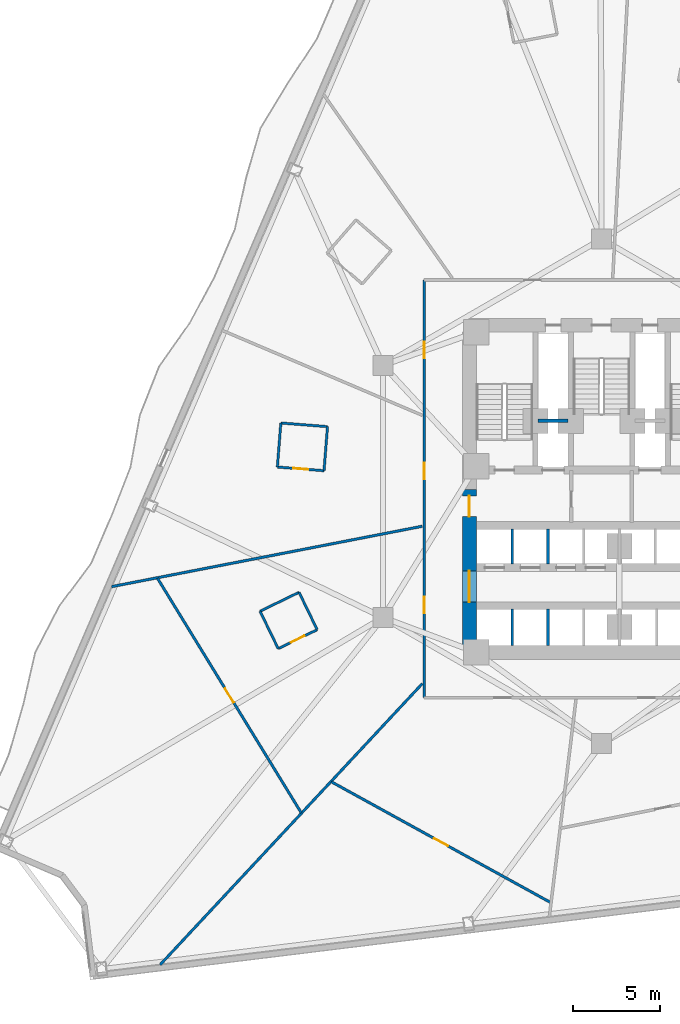
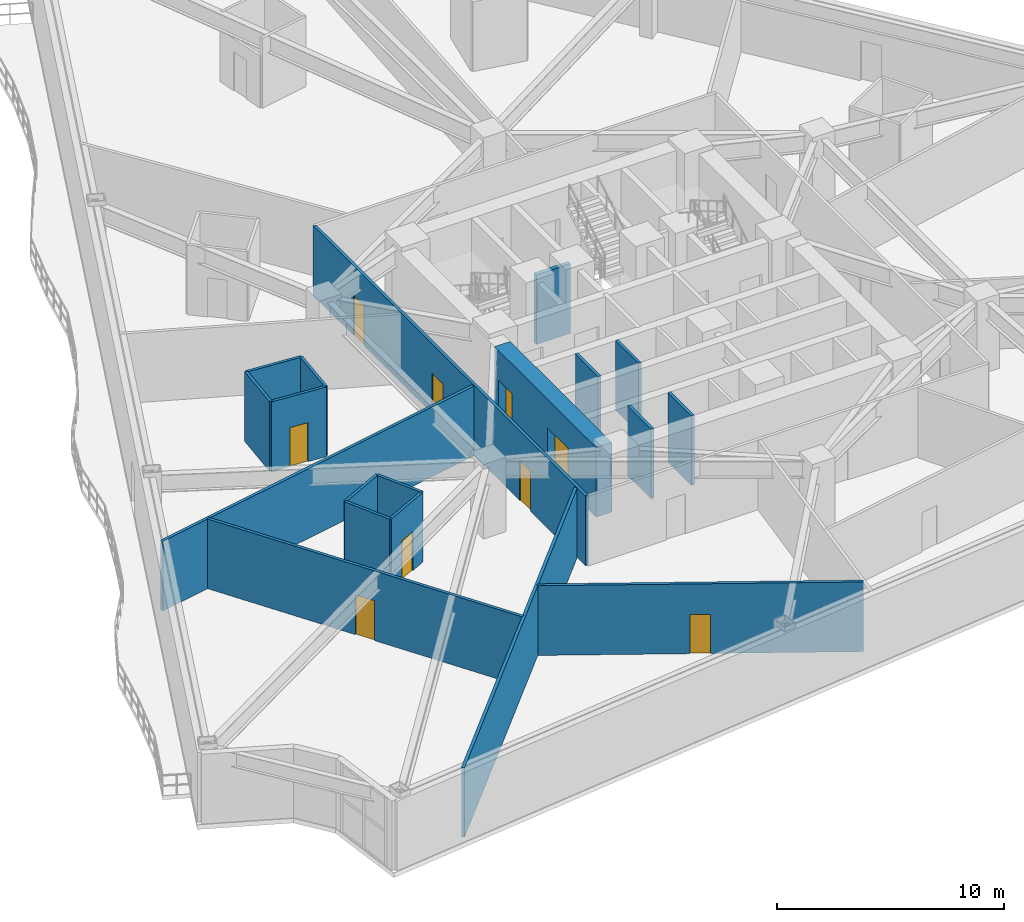
# One storey, part 6 of 14: 19 walls, 9 doors, 9 openings.
"""IFC4 building model written with IfcOpenShell, lengths in metres."""

from ifc_helpers import new_model, si_unit, direction, frame, frame_2d, origin, place, context, subcontext, project, spatial, rectangle, extrude, material, layer, layer_set, type_object, element, fill, save


model = new_model("IFC4")

# Units and contexts
model_context = context("Model", 3, precision=1e-05, world=origin(), true_north=direction((0.0, 1.0)))
body_context = subcontext(model_context, "Body", "Model", "MODEL_VIEW")
ifc_project = project(units=[si_unit("LENGTHUNIT", "METRE"), si_unit("AREAUNIT", "SQUARE_METRE"), si_unit("VOLUMEUNIT", "CUBIC_METRE"), si_unit("PLANEANGLEUNIT", "RADIAN"), si_unit("MASSUNIT", "GRAM", prefix="KILO")], contexts=[model_context])

# Site, building, storey
site_placement = place(None, origin())
site = spatial("IfcSite", under=ifc_project, at=site_placement, CompositionType="ELEMENT")
building_placement = place(site_placement, origin())
building = spatial("IfcBuilding", under=site, at=building_placement, Name="Apsidion Concourse Tower", CompositionType="ELEMENT")
storey_placement = place(building_placement, frame((0.0, 0.0, 79.0)))
storey = spatial("IfcBuildingStorey", under=building, at=storey_placement, Name="L17", CompositionType="ELEMENT", Elevation=79.0)

# Walls
ifc_material_1 = material(Name="Gypsum plasterboard partition")
ifc_layer_1 = layer(ifc_material_1, 0.139892578125)
ifc_layer_set_1 = layer_set([ifc_layer_1], Name="Gypsum plasterboard partition")
wall_type_1 = type_object("IfcWallType", Name="WL-INT-PAR-140", PredefinedType="PARTITIONING", material=ifc_layer_set_1)
wall_1_placement = place(storey_placement, frame((-17.38671875, -5.79833984375, 0.0), z_axis=(0.0, 0.0, 1.0), x_axis=(-0.899563196536, -0.436790631125, 0.0)))
element("IfcWall", 1, at=wall_1_placement, inside=storey, type_object=wall_type_1, Name="L17 Interior Partition WL-L17-POD-HKAWC-S1", PredefinedType="PARTITIONING", context=body_context, shape_type="SweptSolid", body=[
    extrude(rectangle(XDim=2.489990234375, YDim=0.139892578125, at=frame_2d((1.2451171875, 0.0))), origin(), (0.0, 0.0, 1.0), 3.75),
])
wall_2_placement = place(storey_placement, frame((-19.626708984375, -6.885986328125, 0.0), z_axis=(0.0, 0.0, 1.0), x_axis=(0.43680477619, -0.899556328141, 0.0)))
element("IfcWall", 2, at=wall_2_placement, inside=storey, type_object=wall_type_1, Name="L17 Interior Partition WL-L17-POD-HKAWC-S2", PredefinedType="PARTITIONING", context=body_context, shape_type="SweptSolid", body=[
    extrude(rectangle(XDim=2.389892578125, YDim=0.139892578125, at=frame_2d((1.19482421875, 0.0))), origin(), (0.0, 0.0, 1.0), 3.75),
])

# Wall, opening, door
wall_3_placement = place(storey_placement, frame((-18.582763671875, -9.035888671875, 0.0), z_axis=(0.0, 0.0, 1.0), x_axis=(0.899563196536, 0.436790631125, 0.0)))
wall_3 = element("IfcWall", 3, at=wall_3_placement, inside=storey, type_object=wall_type_1, Name="L17 Interior Partition WL-L17-POD-HKAWC-S3", PredefinedType="PARTITIONING", context=body_context, shape_type="SweptSolid", body=[
    extrude(rectangle(XDim=2.489990234375, YDim=0.139892578125, at=frame_2d((1.2451171875, 0.0))), origin(), (0.0, 0.0, 1.0), 3.75),
])
opening_1_placement = place(wall_3_placement, frame((0.804931640625, 0.0, 0.0)))
opening_1 = element("IfcOpeningElement", 4, at=opening_1_placement, cuts=wall_3, Name="Opening D-03L", PredefinedType="OPENING", context=body_context, shape_type="SweptSolid", body=[
    extrude(rectangle(XDim=0.8798828125, YDim=2.10009765625, at=frame_2d((0.43994140625, 1.050048828125))), frame((0.0, 0.080078125, 0.0), z_axis=(0.0, -1.0, 0.0), x_axis=(1.0, 0.0, 0.0)), (0.0, 0.0, 1.0), 0.159912109375),
])
ifc_material_2 = material(Name="Anodised aluminium EN AW-6063 T6", Category="aluminium")
door_type_1 = type_object("IfcDoorType", Name="DR-INT-D03L", OperationType="SINGLE_SWING_LEFT", PredefinedType="DOOR", material=ifc_material_2)
door_1_placement = place(opening_1_placement, origin())
door_1 = element("IfcDoor", 5, at=door_1_placement, inside=storey, type_object=door_type_1, Name="L17 Hotel Accessible WC Door HKAWC", OperationType="SINGLE_SWING_LEFT", OverallHeight=2.10009765625, OverallWidth=0.8798828125, PredefinedType="DOOR", context=body_context, shape_type="SweptSolid", body=[
    extrude(rectangle(XDim=0.8798828125, YDim=2.10009765625, at=frame_2d((0.43994140625, 1.050048828125))), frame((0.0, 0.02490234375, 0.0), z_axis=(0.0, -1.0, 0.0), x_axis=(1.0, 0.0, 0.0)), (0.0, 0.0, 1.0), 0.050048828125),
])
fill(opening_1, door_1)

# Walls
wall_4_placement = place(storey_placement, frame((-16.3427734375, -7.9482421875, 0.0), z_axis=(0.0, 0.0, 1.0), x_axis=(-0.43680477619, 0.899556328141, 0.0)))
element("IfcWall", 6, at=wall_4_placement, inside=storey, type_object=wall_type_1, Name="L17 Interior Partition WL-L17-POD-HKAWC-S4", PredefinedType="PARTITIONING", context=body_context, shape_type="SweptSolid", body=[
    extrude(rectangle(XDim=2.389892578125, YDim=0.139892578125, at=frame_2d((1.19482421875, 0.0))), origin(), (0.0, 0.0, 1.0), 3.75),
])
wall_5_placement = place(storey_placement, frame((-15.7509765625, 3.7216796875, 0.0), z_axis=(0.0, 0.0, 1.0), x_axis=(-0.996920595241, 0.078417643326, 0.0)))
element("IfcWall", 7, at=wall_5_placement, inside=storey, type_object=wall_type_1, Name="L17 Interior Partition WL-L17-POD-ENS09-S1", PredefinedType="PARTITIONING", context=body_context, shape_type="SweptSolid", body=[
    extrude(rectangle(XDim=2.68994140625, YDim=0.139892578125, at=frame_2d((1.344970703125, 0.0))), origin(), (0.0, 0.0, 1.0), 3.75),
])
wall_6_placement = place(storey_placement, frame((-18.4326171875, 3.9326171875, 0.0), z_axis=(0.0, 0.0, 1.0), x_axis=(-0.078526525655, -0.996912024588, 0.0)))
element("IfcWall", 8, at=wall_6_placement, inside=storey, type_object=wall_type_1, Name="L17 Interior Partition WL-L17-POD-ENS09-S2", PredefinedType="PARTITIONING", context=body_context, shape_type="SweptSolid", body=[
    extrude(rectangle(XDim=2.5400390625, YDim=0.139892578125, at=frame_2d((1.27001953125, 0.0))), origin(), (0.0, 0.0, 1.0), 3.75),
])

# Wall, opening, door
wall_7_placement = place(storey_placement, frame((-18.632080078125, 1.400390625, 0.0), z_axis=(0.0, 0.0, 1.0), x_axis=(0.996921153285, -0.078410548606, 0.0)))
wall_7 = element("IfcWall", 9, at=wall_7_placement, inside=storey, type_object=wall_type_1, Name="L17 Interior Partition WL-L17-POD-ENS09-S3", PredefinedType="PARTITIONING", context=body_context, shape_type="SweptSolid", body=[
    extrude(rectangle(XDim=2.690185546875, YDim=0.139892578125, at=frame_2d((1.34521484375, 0.0))), origin(), (0.0, 0.0, 1.0), 3.75),
])
opening_2_placement = place(wall_7_placement, frame((0.905029296875, 0.0, 0.0)))
opening_2 = element("IfcOpeningElement", 10, at=opening_2_placement, cuts=wall_7, Name="Opening D-03R", PredefinedType="OPENING", context=body_context, shape_type="SweptSolid", body=[
    extrude(rectangle(XDim=0.8798828125, YDim=2.10009765625, at=frame_2d((0.43994140625, 1.050048828125))), frame((0.0, 0.080078125, 0.0), z_axis=(0.0, -1.0, 0.0), x_axis=(1.0, 0.0, 0.0)), (0.0, 0.0, 1.0), 0.159912109375),
])
door_type_2 = type_object("IfcDoorType", Name="DR-INT-D03R", OperationType="SINGLE_SWING_RIGHT", PredefinedType="DOOR", material=ifc_material_2)
door_2_placement = place(opening_2_placement, origin())
door_2 = element("IfcDoor", 11, at=door_2_placement, inside=storey, type_object=door_type_2, Name="L17 Guest En-Suite Bathroom Door ENS09", OperationType="SINGLE_SWING_RIGHT", OverallHeight=2.10009765625, OverallWidth=0.8798828125, PredefinedType="DOOR", context=body_context, shape_type="SweptSolid", body=[
    extrude(rectangle(XDim=0.8798828125, YDim=2.10009765625, at=frame_2d((0.43994140625, 1.050048828125))), frame((0.0, 0.02490234375, 0.0), z_axis=(0.0, -1.0, 0.0), x_axis=(1.0, 0.0, 0.0)), (0.0, 0.0, 1.0), 0.050048828125),
])
fill(opening_2, door_2)

# Walls
wall_8_placement = place(storey_placement, frame((-15.9501953125, 1.189453125, 0.0), z_axis=(0.0, 0.0, 1.0), x_axis=(0.078431001564, 0.996919544393, 0.0)))
element("IfcWall", 12, at=wall_8_placement, inside=storey, type_object=wall_type_1, Name="L17 Interior Partition WL-L17-POD-ENS09-S4", PredefinedType="PARTITIONING", context=body_context, shape_type="SweptSolid", body=[
    extrude(rectangle(XDim=2.5400390625, YDim=0.139892578125, at=frame_2d((1.27001953125, 0.0))), origin(), (0.0, 0.0, 1.0), 3.75),
])
ifc_layer_2 = layer(ifc_material_1, 0.14990234375)
ifc_layer_set_2 = layer_set([ifc_layer_2], Name="Gypsum plasterboard partition")
wall_type_2 = type_object("IfcWallType", Name="WL-INT-PAR-150", PredefinedType="PARTITIONING", material=ifc_layer_set_2)
for number, where, z_axis, x_axis, name in (
    (13, (-5.125, -4.179931640625, 0.0), (0.0, 0.0, 1.0), (0.0, 1.0, 0.0), "L17 Interior Partition WL-L17-B1DIV-1"),
    (14, (-3.074951171875, -4.179931640625, 0.0), (0.0, 0.0, 1.0), (0.0, 1.0, 0.0), "L17 Interior Partition WL-L17-B1DIV-2"),
):
    element("IfcWall", number, at=place(storey_placement, frame(where, z_axis=z_axis, x_axis=x_axis)), inside=storey, type_object=wall_type_2, Name=name, PredefinedType="PARTITIONING", context=body_context, shape_type="SweptSolid", body=[
        extrude(rectangle(XDim=2.030029296875, YDim=0.14990234375, at=frame_2d((1.01513671875, 0.0))), origin(), (0.0, 0.0, 1.0), 3.75),
    ])
for number, where, z_axis, x_axis, name in (
    (15, (-5.125, -8.85009765625, 0.0), (0.0, 0.0, 1.0), (0.0, 1.0, 0.0), "L17 Interior Partition WL-L17-B2DIV-1"),
    (16, (-3.074951171875, -8.85009765625, 0.0), (0.0, 0.0, 1.0), (0.0, 1.0, 0.0), "L17 Interior Partition WL-L17-B2DIV-2"),
):
    element("IfcWall", number, at=place(storey_placement, frame(where, z_axis=z_axis, x_axis=x_axis)), inside=storey, type_object=wall_type_2, Name=name, PredefinedType="PARTITIONING", context=body_context, shape_type="SweptSolid", body=[
        extrude(rectangle(XDim=2.080078125, YDim=0.14990234375, at=frame_2d((1.0400390625, 0.0))), origin(), (0.0, 0.0, 1.0), 3.75),
    ])

# Wall, openings, doors
wall_9_placement = place(storey_placement, frame((-10.199951171875, -11.85009765625, 0.0), z_axis=(0.0, 0.0, 1.0), x_axis=(0.0, 1.0, 0.0)))
wall_9 = element("IfcWall", 17, at=wall_9_placement, inside=storey, type_object=wall_type_2, Name="L17 Interior Partition WL-L17-CORR-04", PredefinedType="PARTITIONING", context=body_context, shape_type="SweptSolid", body=[
    extrude(rectangle(XDim=24.0, YDim=0.14990234375, at=frame_2d((12.0, 0.0))), origin(), (0.0, 0.0, 1.0), 3.75),
])
opening_3_placement = place(wall_9_placement, frame((4.838623046875, 0.0, 0.0)))
opening_3 = element("IfcOpeningElement", 18, at=opening_3_placement, cuts=wall_9, Name="Opening D-01L", PredefinedType="OPENING", context=body_context, shape_type="SweptSolid", body=[
    extrude(rectangle(XDim=0.949951171875, YDim=2.14990234375, at=frame_2d((0.47509765625, 1.074951171875))), frame((0.0, 0.0849609375, 0.0), z_axis=(0.0, -1.0, 0.0), x_axis=(1.0, 0.0, 0.0)), (0.0, 0.0, 1.0), 0.169921875),
])
opening_4_placement = place(wall_9_placement, frame((19.50732421875, 0.0, 0.0)))
opening_4 = element("IfcOpeningElement", 19, at=opening_4_placement, cuts=wall_9, Name="Opening D-01L", PredefinedType="OPENING", context=body_context, shape_type="SweptSolid", body=[
    extrude(rectangle(XDim=0.949951171875, YDim=2.14990234375, at=frame_2d((0.47509765625, 1.074951171875))), frame((0.0, 0.0849609375, 0.0), z_axis=(0.0, -1.0, 0.0), x_axis=(1.0, 0.0, 0.0)), (0.0, 0.0, 1.0), 0.169921875),
])
opening_5_placement = place(wall_9_placement, frame((12.556884765625, 0.0, 0.0)))
opening_5 = element("IfcOpeningElement", 20, at=opening_5_placement, cuts=wall_9, Name="Opening D-01R", PredefinedType="OPENING", context=body_context, shape_type="SweptSolid", body=[
    extrude(rectangle(XDim=0.949951171875, YDim=2.14990234375, at=frame_2d((0.47509765625, 1.074951171875))), frame((0.0, 0.0849609375, 0.0), z_axis=(0.0, -1.0, 0.0), x_axis=(1.0, 0.0, 0.0)), (0.0, 0.0, 1.0), 0.169921875),
])
ifc_material_3 = material(Name="Brushed stainless steel 316", Category="steel")
door_type_3 = type_object("IfcDoorType", Name="DR-INT-D01L", OperationType="SINGLE_SWING_LEFT", PredefinedType="DOOR", material=ifc_material_3)
door_3_placement = place(opening_3_placement, origin())
door_3 = element("IfcDoor", 21, at=door_3_placement, inside=storey, type_object=door_type_3, Name="L17 Corridor Entry Door 01", OperationType="SINGLE_SWING_LEFT", OverallHeight=2.14990234375, OverallWidth=0.949951171875, PredefinedType="DOOR", context=body_context, shape_type="SweptSolid", body=[
    extrude(rectangle(XDim=0.949951171875, YDim=2.14990234375, at=frame_2d((0.47509765625, 1.074951171875))), frame((0.0, 0.02490234375, 0.0), z_axis=(0.0, -1.0, 0.0), x_axis=(1.0, 0.0, 0.0)), (0.0, 0.0, 1.0), 0.050048828125),
])
fill(opening_3, door_3)
door_4_placement = place(opening_4_placement, origin())
door_4 = element("IfcDoor", 22, at=door_4_placement, inside=storey, type_object=door_type_3, Name="L17 Corridor Entry Door 09", OperationType="SINGLE_SWING_LEFT", OverallHeight=2.14990234375, OverallWidth=0.949951171875, PredefinedType="DOOR", context=body_context, shape_type="SweptSolid", body=[
    extrude(rectangle(XDim=0.949951171875, YDim=2.14990234375, at=frame_2d((0.47509765625, 1.074951171875))), frame((0.0, 0.02490234375, 0.0), z_axis=(0.0, -1.0, 0.0), x_axis=(1.0, 0.0, 0.0)), (0.0, 0.0, 1.0), 0.050048828125),
])
fill(opening_4, door_4)
door_type_4 = type_object("IfcDoorType", Name="DR-INT-D01R", OperationType="SINGLE_SWING_RIGHT", PredefinedType="DOOR", material=ifc_material_3)
door_5_placement = place(opening_5_placement, origin())
door_5 = element("IfcDoor", 23, at=door_5_placement, inside=storey, type_object=door_type_4, Name="L17 Corridor Entry Door 10", OperationType="SINGLE_SWING_RIGHT", OverallHeight=2.14990234375, OverallWidth=0.949951171875, PredefinedType="DOOR", context=body_context, shape_type="SweptSolid", body=[
    extrude(rectangle(XDim=0.949951171875, YDim=2.14990234375, at=frame_2d((0.47509765625, 1.074951171875))), frame((0.0, 0.02490234375, 0.0), z_axis=(0.0, -1.0, 0.0), x_axis=(1.0, 0.0, 0.0)), (0.0, 0.0, 1.0), 0.050048828125),
])
fill(opening_5, door_5)

# Walls
wall_10_placement = place(storey_placement, frame((-10.304931640625, -2.003173828125, 0.0), z_axis=(0.0, 0.0, 1.0), x_axis=(-0.981628312009, -0.19080318934, 0.0)))
element("IfcWall", 24, at=wall_10_placement, inside=storey, type_object=wall_type_2, Name="L17 Interior Partition WL-L17-RAD-06-1", PredefinedType="PARTITIONING", context=body_context, shape_type="SweptSolid", body=[
    extrude(rectangle(XDim=18.1875, YDim=0.14990234375, at=frame_2d((9.09375, 0.0))), origin(), (0.0, 0.0, 1.0), 3.75),
])
wall_11_placement = place(storey_placement, frame((-10.304931640625, -11.05078125, 0.0), z_axis=(0.0, 0.0, 1.0), x_axis=(-0.682005964539, -0.731346610256, 0.0)))
element("IfcWall", 25, at=wall_11_placement, inside=storey, type_object=wall_type_2, Name="L17 Interior Partition WL-L17-RAD-07-1", PredefinedType="PARTITIONING", context=body_context, shape_type="SweptSolid", body=[
    extrude(rectangle(XDim=22.093017578125, YDim=0.14990234375, at=frame_2d((11.04638671875, 0.0))), origin(), (0.0, 0.0, 1.0), 3.75),
])

# Wall, opening, door
wall_12_placement = place(storey_placement, frame((-25.5244140625, -4.98681640625, 0.0), z_axis=(0.0, 0.0, 1.0), x_axis=(0.522554094718, -0.852606133038, 0.0)))
wall_12 = element("IfcWall", 26, at=wall_12_placement, inside=storey, type_object=wall_type_2, Name="L17 Interior Partition WL-L17-CHD-HKWC", PredefinedType="PARTITIONING", context=body_context, shape_type="SweptSolid", body=[
    extrude(rectangle(XDim=15.81640625, YDim=0.14990234375, at=frame_2d((7.908203125, 0.0))), origin(), (0.0, 0.0, 1.0), 3.75),
])
opening_6_placement = place(wall_12_placement, frame((7.43310546875, 0.0, 0.0)))
opening_6 = element("IfcOpeningElement", 27, at=opening_6_placement, cuts=wall_12, Name="Opening D-04R", PredefinedType="OPENING", context=body_context, shape_type="SweptSolid", body=[
    extrude(rectangle(XDim=0.949951171875, YDim=2.14990234375, at=frame_2d((0.47509765625, 1.074951171875))), frame((0.0, 0.0849609375, 0.0), z_axis=(0.0, -1.0, 0.0), x_axis=(1.0, 0.0, 0.0)), (0.0, 0.0, 1.0), 0.169921875),
])
door_type_5 = type_object("IfcDoorType", Name="DR-INT-D04R", OperationType="SINGLE_SWING_RIGHT", PredefinedType="DOOR", material=ifc_material_3)
door_6_placement = place(opening_6_placement, origin())
door_6 = element("IfcDoor", 28, at=door_6_placement, inside=storey, type_object=door_type_5, Name="L17 Suite Connecting Door HKWC", OperationType="SINGLE_SWING_RIGHT", OverallHeight=2.14990234375, OverallWidth=0.949951171875, PredefinedType="DOOR", context=body_context, shape_type="SweptSolid", body=[
    extrude(rectangle(XDim=0.949951171875, YDim=2.14990234375, at=frame_2d((0.47509765625, 1.074951171875))), frame((0.0, 0.02490234375, 0.0), z_axis=(0.0, -1.0, 0.0), x_axis=(1.0, 0.0, 0.0)), (0.0, 0.0, 1.0), 0.050048828125),
])
fill(opening_6, door_6)

wall_13_placement = place(storey_placement, frame((-15.5283203125, -16.688720703125, 0.0), z_axis=(0.0, 0.0, 1.0), x_axis=(0.875978607683, -0.482349954786, 0.0)))
wall_13 = element("IfcWall", 29, at=wall_13_placement, inside=storey, type_object=wall_type_2, Name="L17 Interior Partition WL-L17-CHD-HXS01", PredefinedType="PARTITIONING", context=body_context, shape_type="SweptSolid", body=[
    extrude(rectangle(XDim=14.38623046875, YDim=0.14990234375, at=frame_2d((7.193115234375, 0.0))), origin(), (0.0, 0.0, 1.0), 3.75),
])
opening_7_placement = place(wall_13_placement, frame((6.7431640625, 0.0, 0.0)))
opening_7 = element("IfcOpeningElement", 30, at=opening_7_placement, cuts=wall_13, Name="Opening D-02L", PredefinedType="OPENING", context=body_context, shape_type="SweptSolid", body=[
    extrude(rectangle(XDim=0.89990234375, YDim=2.10009765625, at=frame_2d((0.449951171875, 1.050048828125))), frame((0.0, 0.0849609375, 0.0), z_axis=(0.0, -1.0, 0.0), x_axis=(1.0, 0.0, 0.0)), (0.0, 0.0, 1.0), 0.169921875),
])
door_type_6 = type_object("IfcDoorType", Name="DR-INT-D02L", OperationType="SINGLE_SWING_LEFT", PredefinedType="DOOR", material=ifc_material_2)
door_7_placement = place(opening_7_placement, origin())
door_7 = element("IfcDoor", 31, at=door_7_placement, inside=storey, type_object=door_type_6, Name="L17 Suite Connecting Door HXS01", OperationType="SINGLE_SWING_LEFT", OverallHeight=2.10009765625, OverallWidth=0.89990234375, PredefinedType="DOOR", context=body_context, shape_type="SweptSolid", body=[
    extrude(rectangle(XDim=0.89990234375, YDim=2.10009765625, at=frame_2d((0.449951171875, 1.050048828125))), frame((0.0, 0.02490234375, 0.0), z_axis=(0.0, -1.0, 0.0), x_axis=(1.0, 0.0, 0.0)), (0.0, 0.0, 1.0), 0.050048828125),
])
fill(opening_7, door_7)

# Wall
ifc_layer_3 = layer(ifc_material_1, 0.199951171875)
ifc_layer_set_3 = layer_set([ifc_layer_3], Name="Gypsum plasterboard partition")
wall_type_3 = type_object("IfcWallType", Name="WL-INT-PAR-200", PredefinedType="PARTITIONING", material=ifc_layer_set_3)
wall_14_placement = place(storey_placement, frame((-3.64990234375, 4.050048828125, 0.0), z_axis=(0.0, 0.0, 1.0), x_axis=(1.0, 0.0, 0.0)))
element("IfcWall", 32, at=wall_14_placement, inside=storey, type_object=wall_type_3, Name="L17 Interior Partition WL-L17-FF1-N", PredefinedType="PARTITIONING", context=body_context, shape_type="SweptSolid", body=[
    extrude(rectangle(XDim=1.72998046875, YDim=0.199951171875, at=frame_2d((0.864990234375, 0.0))), origin(), (0.0, 0.0, 1.0), 3.75),
])

# Wall, openings, doors
ifc_material_4 = material(Name="Concrete C60/75", Category="concrete")
ifc_layer_4 = layer(ifc_material_4, 0.800048828125)
ifc_layer_set_4 = layer_set([ifc_layer_4], Name="Concrete C60/75")
wall_type_4 = type_object("IfcWallType", Name="WL-SH-800", PredefinedType="SHEAR", material=ifc_layer_set_4)
wall_15_placement = place(storey_placement, frame((-7.60009765625, -8.85009765625, 0.0), z_axis=(0.0, 0.0, 1.0), x_axis=(0.0, 1.0, 0.0)))
wall_15 = element("IfcWall", 33, at=wall_15_placement, inside=storey, type_object=wall_type_4, Name="L17 Central Core Shear Wall WS", PredefinedType="SHEAR", context=body_context, shape_type="SweptSolid", body=[
    extrude(rectangle(XDim=8.9501953125, YDim=0.800048828125, at=frame_2d((4.47509765625, 0.0))), origin(), (0.0, 0.0, 1.0), 3.75),
])
opening_8_placement = place(wall_15_placement, frame((2.489990234375, 0.0, 0.0)))
opening_8 = element("IfcOpeningElement", 34, at=opening_8_placement, cuts=wall_15, Name="Opening D-06D", PredefinedType="OPENING", context=body_context, shape_type="SweptSolid", body=[
    extrude(rectangle(XDim=1.800048828125, YDim=2.199951171875, at=frame_2d((0.89990234375, 1.10009765625))), frame((0.0, 0.41015625, 0.0), z_axis=(0.0, -1.0, 0.0), x_axis=(1.0, 0.0, 0.0)), (0.0, 0.0, 1.0), 0.820068359375),
])
opening_9_placement = place(wall_15_placement, frame((7.39990234375, 0.0, 0.0)))
opening_9 = element("IfcOpeningElement", 35, at=opening_9_placement, cuts=wall_15, Name="Opening D-FFL", PredefinedType="OPENING", context=body_context, shape_type="SweptSolid", body=[
    extrude(rectangle(XDim=1.199951171875, YDim=2.14990234375, at=frame_2d((0.60009765625, 1.074951171875))), frame((0.0, 0.41015625, 0.0), z_axis=(0.0, -1.0, 0.0), x_axis=(1.0, 0.0, 0.0)), (0.0, 0.0, 1.0), 0.820068359375),
])
door_type_7 = type_object("IfcDoorType", Name="DR-INT-D06D", OperationType="DOUBLE_DOOR_SINGLE_SWING", PredefinedType="DOOR", material=ifc_material_3)
door_8_placement = place(opening_8_placement, origin())
door_8 = element("IfcDoor", 36, at=door_8_placement, inside=storey, type_object=door_type_7, Name="L17 Passenger Lift Lobby WS Portal Door", OperationType="DOUBLE_DOOR_SINGLE_SWING", OverallHeight=2.199951171875, OverallWidth=1.800048828125, PredefinedType="DOOR", context=body_context, shape_type="SweptSolid", body=[
    extrude(rectangle(XDim=1.800048828125, YDim=2.199951171875, at=frame_2d((0.89990234375, 1.10009765625))), frame((0.0, 0.02490234375, 0.0), z_axis=(0.0, -1.0, 0.0), x_axis=(1.0, 0.0, 0.0)), (0.0, 0.0, 1.0), 0.050048828125),
])
fill(opening_8, door_8)
door_type_8 = type_object("IfcDoorType", Name="DR-INT-FFL", OperationType="SINGLE_SWING_LEFT", PredefinedType="DOOR", material=ifc_material_3)
door_9_placement = place(opening_9_placement, origin())
door_9 = element("IfcDoor", 37, at=door_9_placement, inside=storey, type_object=door_type_8, Name="L17 Firefighting Lift Lobby FF1 Door", OperationType="SINGLE_SWING_LEFT", OverallHeight=2.14990234375, OverallWidth=1.199951171875, PredefinedType="DOOR", context=body_context, shape_type="SweptSolid", body=[
    extrude(rectangle(XDim=1.199951171875, YDim=2.14990234375, at=frame_2d((0.60009765625, 1.074951171875))), frame((0.0, 0.02490234375, 0.0), z_axis=(0.0, -1.0, 0.0), x_axis=(1.0, 0.0, 0.0)), (0.0, 0.0, 1.0), 0.050048828125),
])
fill(opening_9, door_9)

save(model, "model.ifc")
